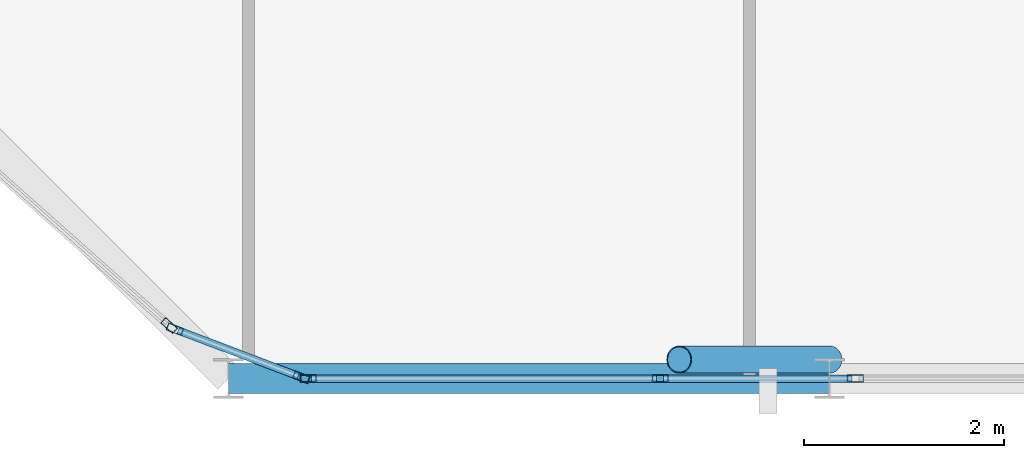
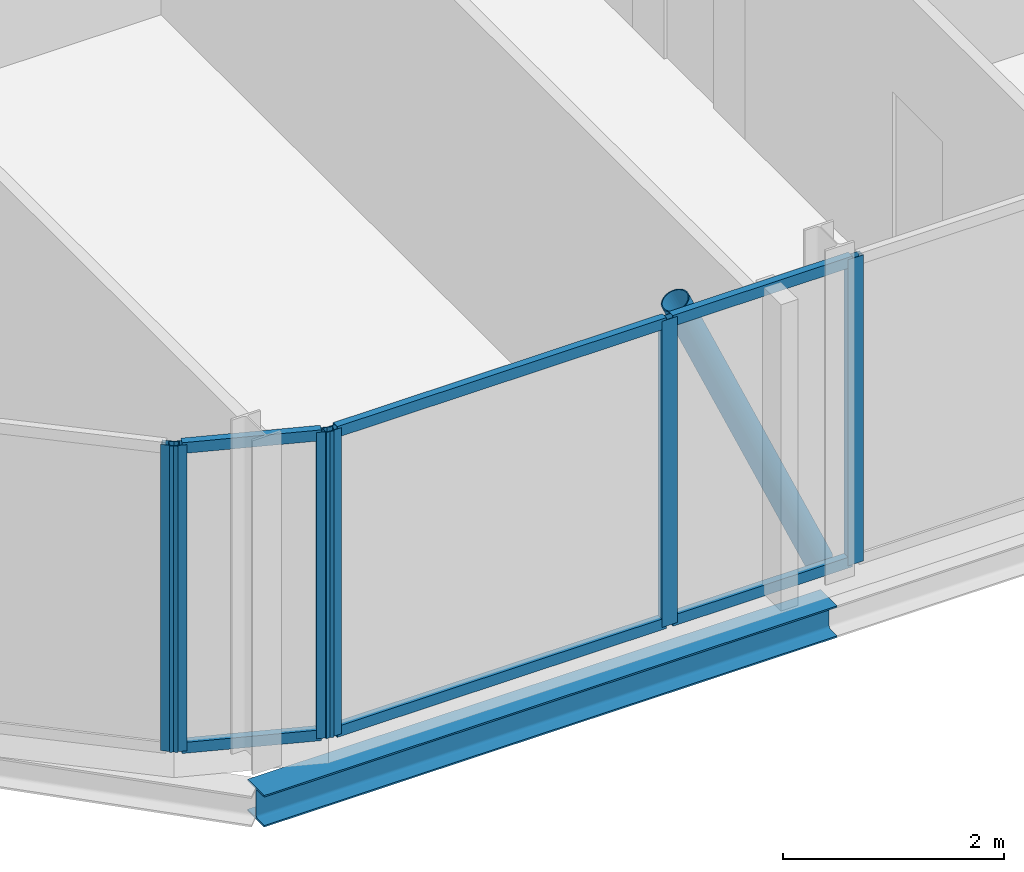
# One storey, part 6 of 28: 13 members, 1 beam, 5 elements without a shape of their own.
"""IFC4 building model written with IfcOpenShell, lengths in metres."""

from ifc_helpers import new_model, si_unit, direction, frame, origin, origin_2d, place, context, subcontext, project, spatial, hollow_rectangle, hollow_circle, i_section, extrude, material, layer, layer_set, material_profile, profile_set, type_object, element, aggregate, save


model = new_model("IFC4")

# Units and contexts
model_context = context("Model", 3, precision=1e-05, world=origin(), true_north=direction((0.0, 1.0)))
body_context = subcontext(model_context, "Body", "Model", "MODEL_VIEW")
ifc_project = project(units=[si_unit("LENGTHUNIT", "METRE"), si_unit("AREAUNIT", "SQUARE_METRE"), si_unit("VOLUMEUNIT", "CUBIC_METRE"), si_unit("PLANEANGLEUNIT", "RADIAN"), si_unit("MASSUNIT", "GRAM", prefix="KILO")], contexts=[model_context])

# Site, building, storey
site_placement = place(None, origin())
site = spatial("IfcSite", under=ifc_project, at=site_placement, CompositionType="ELEMENT")
building_placement = place(site_placement, origin())
building = spatial("IfcBuilding", under=site, at=building_placement, Name="Keshet Zoharim Tower", CompositionType="ELEMENT")
storey_placement = place(building_placement, frame((0.0, 0.0, 265.800048828125)))
storey = spatial("IfcBuildingStorey", under=building, at=storey_placement, Name="L66", CompositionType="ELEMENT", Elevation=265.800048828125)

# Beam
ifc_material_1 = material(Name="Steel S355", Category="steel")
ifc_material_profile_1 = material_profile(ifc_material_1, i_section(OverallWidth=0.300048828125, OverallDepth=0.35009765625, WebThickness=0.010009765625, FlangeThickness=0.017578125, FilletRadius=0.027099609375, at=origin_2d()), Name="HEA360")
ifc_profile_set_1 = profile_set([ifc_material_profile_1], Name="Steel S355")
beam_type = type_object("IfcBeamType", Name="BM-PRI-HA360", PredefinedType="BEAM", material=ifc_profile_set_1)
beam_placement = place(storey_placement, frame((21.0, 6.699951171875, -0.485107421875), z_axis=(1.0, 0.0, 0.0), x_axis=(0.0, 1.0, 0.0)))
element("IfcBeam", 1, at=beam_placement, inside=storey, type_object=beam_type, Name="L66 Primary Girder X-001", PredefinedType="BEAM", context=body_context, shape_type="SweptSolid", body=[
    extrude(i_section(OverallWidth=0.300048828125, OverallDepth=0.35009765625, WebThickness=0.010009765625, FlangeThickness=0.017578125, FilletRadius=0.027099609375, at=origin_2d()), origin(), (0.0, 0.0, 1.0), 6.0),
])

# Curtain wall, member
ifc_material_2 = material(Name="Aluminium 6063-T6", Category="aluminium")
ifc_layer = layer(ifc_material_2, 0.260009765625)
ifc_layer_set = layer_set([ifc_layer], Name="Aluminium 6063-T6")
curtain_wall_type = type_object("IfcCurtainWallType", Name="CW-SYS-06", PredefinedType="NOTDEFINED", material=ifc_layer_set)
curtain_wall_1_placement = place(storey_placement, origin())
curtain_wall_1 = element("IfcCurtainWall", 2, at=curtain_wall_1_placement, inside=storey, type_object=curtain_wall_type, Name="L66 Unitised Curtain Wall 14", PredefinedType="NOTDEFINED")
ifc_material_profile_2 = material_profile(ifc_material_2, hollow_rectangle(XDim=0.074951171875, YDim=0.159912109375, WallThickness=0.00390625, at=origin_2d()), Name="MUL-75x160")
ifc_profile_set_2 = profile_set([ifc_material_profile_2], Name="Aluminium 6063-T6")
member_type_1 = type_object("IfcMemberType", Name="CWM-M15", PredefinedType="MULLION", material=ifc_profile_set_2)
member_1_placement = place(storey_placement, frame((27.259765625, 6.699951171875, 0.0), z_axis=(0.0, 0.0, 1.0), x_axis=(0.0, -1.0, 0.0)))
member_1 = element("IfcMember", 3, at=member_1_placement, type_object=member_type_1, Name="CW-06 mullion 2", PredefinedType="MULLION", context=body_context, shape_type="SweptSolid", body=[
    extrude(hollow_rectangle(XDim=0.074951171875, YDim=0.159912109375, WallThickness=0.00390625, at=origin_2d()), origin(), (0.0, 0.0, 1.0), 3.389892578125),
])
aggregate(curtain_wall_1, [member_1])

curtain_wall_2_placement = place(storey_placement, origin())
curtain_wall_2 = element("IfcCurtainWall", 4, at=curtain_wall_2_placement, inside=storey, type_object=curtain_wall_type, Name="L66 Unitised Curtain Wall 14 Part 2", PredefinedType="NOTDEFINED")
member_2_placement = place(storey_placement, frame((25.310302734375, 6.699951171875, 0.0), z_axis=(0.0, 0.0, 1.0), x_axis=(0.0, -1.0, 0.0)))
member_2 = element("IfcMember", 5, at=member_2_placement, type_object=member_type_1, Name="CW-06 mullion 2", PredefinedType="MULLION", context=body_context, shape_type="SweptSolid", body=[
    extrude(hollow_rectangle(XDim=0.074951171875, YDim=0.159912109375, WallThickness=0.00390625, at=origin_2d()), origin(), (0.0, 0.0, 1.0), 3.389892578125),
])

curtain_wall_3_placement = place(storey_placement, origin())
curtain_wall_3 = element("IfcCurtainWall", 6, at=curtain_wall_3_placement, inside=storey, type_object=curtain_wall_type, Name="L66 Unitised Curtain Wall 14 Part 3", PredefinedType="NOTDEFINED")
member_3_placement = place(storey_placement, frame((21.794921875, 6.699951171875, 0.0), z_axis=(0.0, 0.0, 1.0), x_axis=(0.0, -1.0, 0.0)))
member_3 = element("IfcMember", 7, at=member_3_placement, type_object=member_type_1, Name="CW-06 mullion 2", PredefinedType="MULLION", context=body_context, shape_type="SweptSolid", body=[
    extrude(hollow_rectangle(XDim=0.074951171875, YDim=0.159912109375, WallThickness=0.00390625, at=origin_2d()), origin(), (0.0, 0.0, 1.0), 3.389892578125),
])

# Curtain wall, members
curtain_wall_4_placement = place(storey_placement, origin())
curtain_wall_4 = element("IfcCurtainWall", 8, at=curtain_wall_4_placement, inside=storey, type_object=curtain_wall_type, Name="L66 Unitised Curtain Wall 15", PredefinedType="NOTDEFINED")
member_4_placement = place(storey_placement, frame((21.727294921875, 6.71240234375, 0.0), z_axis=(0.0, 0.0, 1.0), x_axis=(-0.355439161326, -0.934699418314, 0.0)))
member_4 = element("IfcMember", 9, at=member_4_placement, type_object=member_type_1, Name="CW-06 mullion 1", PredefinedType="MULLION", context=body_context, shape_type="SweptSolid", body=[
    extrude(hollow_rectangle(XDim=0.074951171875, YDim=0.159912109375, WallThickness=0.00390625, at=origin_2d()), origin(), (0.0, 0.0, 1.0), 3.389892578125),
])
member_5_placement = place(storey_placement, frame((20.464599609375, 7.192626953125, 0.0), z_axis=(0.0, 0.0, 1.0), x_axis=(-0.355439161326, -0.934699418314, 0.0)))
member_5 = element("IfcMember", 10, at=member_5_placement, type_object=member_type_1, Name="CW-06 mullion 2", PredefinedType="MULLION", context=body_context, shape_type="SweptSolid", body=[
    extrude(hollow_rectangle(XDim=0.074951171875, YDim=0.159912109375, WallThickness=0.00390625, at=origin_2d()), origin(), (0.0, 0.0, 1.0), 3.389892578125),
])

# Curtain wall, member
curtain_wall_5_placement = place(storey_placement, origin())
curtain_wall_5 = element("IfcCurtainWall", 11, at=curtain_wall_5_placement, inside=storey, type_object=curtain_wall_type, Name="L66 Unitised Curtain Wall 16", PredefinedType="NOTDEFINED")
member_6_placement = place(storey_placement, frame((20.40576171875, 7.228271484375, 0.0), z_axis=(0.0, 0.0, 1.0), x_axis=(-0.664362180559, -0.747410792699, 0.0)))
member_6 = element("IfcMember", 12, at=member_6_placement, type_object=member_type_1, Name="CW-06 mullion 1", PredefinedType="MULLION", context=body_context, shape_type="SweptSolid", body=[
    extrude(hollow_rectangle(XDim=0.074951171875, YDim=0.159912109375, WallThickness=0.00390625, at=origin_2d()), origin(), (0.0, 0.0, 1.0), 3.389892578125),
])
aggregate(curtain_wall_5, [member_6])

# Member
ifc_material_profile_3 = material_profile(ifc_material_2, hollow_rectangle(XDim=0.074951171875, YDim=0.1201171875, WallThickness=0.00390625, at=origin_2d()), Name="TRN-75x120")
ifc_profile_set_3 = profile_set([ifc_material_profile_3], Name="Aluminium 6063-T6")
member_type_2 = type_object("IfcMemberType", Name="CWT-T12", PredefinedType="USERDEFINED", material=ifc_profile_set_3)
member_7_placement = place(storey_placement, frame((27.224853515625, 6.699951171875, 0.034912109375), z_axis=(-1.0, 0.0, 0.0), x_axis=(0.0, -1.0, 0.0)))
member_7 = element("IfcMember", 13, at=member_7_placement, type_object=member_type_2, Name="CW-06 transom 1.1", ObjectType="TRANSOM", PredefinedType="USERDEFINED", context=body_context, shape_type="SweptSolid", body=[
    extrude(hollow_rectangle(XDim=0.074951171875, YDim=0.1201171875, WallThickness=0.00390625, at=origin_2d()), origin(), (0.0, 0.0, 1.0), 1.879638671875),
])

member_8_placement = place(storey_placement, frame((27.224853515625, 6.699951171875, 3.35498046875), z_axis=(-1.0, 0.0, 0.0), x_axis=(0.0, -1.0, 0.0)))
member_8 = element("IfcMember", 14, at=member_8_placement, type_object=member_type_2, Name="CW-06 transom 1.2", ObjectType="TRANSOM", PredefinedType="USERDEFINED", context=body_context, shape_type="SweptSolid", body=[
    extrude(hollow_rectangle(XDim=0.074951171875, YDim=0.1201171875, WallThickness=0.00390625, at=origin_2d()), origin(), (0.0, 0.0, 1.0), 1.879638671875),
])

aggregate(curtain_wall_2, [member_2, member_7, member_8])

member_9_placement = place(storey_placement, frame((25.275146484375, 6.699951171875, 0.034912109375), z_axis=(-1.0, 0.0, 0.0), x_axis=(0.0, -1.0, 0.0)))
member_9 = element("IfcMember", 15, at=member_9_placement, type_object=member_type_2, Name="CW-06 transom 1.1", ObjectType="TRANSOM", PredefinedType="USERDEFINED", context=body_context, shape_type="SweptSolid", body=[
    extrude(hollow_rectangle(XDim=0.074951171875, YDim=0.1201171875, WallThickness=0.00390625, at=origin_2d()), origin(), (0.0, 0.0, 1.0), 3.445068359375),
])

member_10_placement = place(storey_placement, frame((25.275146484375, 6.699951171875, 3.35498046875), z_axis=(-1.0, 0.0, 0.0), x_axis=(0.0, -1.0, 0.0)))
member_10 = element("IfcMember", 16, at=member_10_placement, type_object=member_type_2, Name="CW-06 transom 1.2", ObjectType="TRANSOM", PredefinedType="USERDEFINED", context=body_context, shape_type="SweptSolid", body=[
    extrude(hollow_rectangle(XDim=0.074951171875, YDim=0.1201171875, WallThickness=0.00390625, at=origin_2d()), origin(), (0.0, 0.0, 1.0), 3.445068359375),
])

aggregate(curtain_wall_3, [member_3, member_9, member_10])

member_11_placement = place(storey_placement, frame((21.694580078125, 6.724853515625, 0.034912109375), z_axis=(-0.934689881536, 0.355464239206, 0.0), x_axis=(-0.355464239206, -0.934689881536, 0.0)))
member_11 = element("IfcMember", 17, at=member_11_placement, type_object=member_type_2, Name="CW-06 transom 1.1", ObjectType="TRANSOM", PredefinedType="USERDEFINED", context=body_context, shape_type="SweptSolid", body=[
    extrude(hollow_rectangle(XDim=0.074951171875, YDim=0.1201171875, WallThickness=0.00390625, at=origin_2d()), origin(), (0.0, 0.0, 1.0), 1.281005859375),
])

member_12_placement = place(storey_placement, frame((21.694580078125, 6.724853515625, 3.35498046875), z_axis=(-0.934689881536, 0.355464239206, 0.0), x_axis=(-0.355464239206, -0.934689881536, 0.0)))
member_12 = element("IfcMember", 18, at=member_12_placement, type_object=member_type_2, Name="CW-06 transom 1.2", ObjectType="TRANSOM", PredefinedType="USERDEFINED", context=body_context, shape_type="SweptSolid", body=[
    extrude(hollow_rectangle(XDim=0.074951171875, YDim=0.1201171875, WallThickness=0.00390625, at=origin_2d()), origin(), (0.0, 0.0, 1.0), 1.281005859375),
])

aggregate(curtain_wall_4, [member_4, member_5, member_11, member_12])

ifc_material_profile_4 = material_profile(ifc_material_1, hollow_circle(Radius=0.136474609375, WallThickness=0.010009765625, at=origin_2d()), Name="CHS273x10")
ifc_profile_set_4 = profile_set([ifc_material_profile_4], Name="Steel S355")
member_type_3 = type_object("IfcMemberType", Name="MB-BR-C273", PredefinedType="BRACE", material=ifc_profile_set_4)
member_13_placement = place(storey_placement, frame((27.0, 6.889892578125, 0.0), z_axis=(-0.40464689807, 0.0, 0.914473011019), x_axis=(0.0, -1.0, 0.0)))
element("IfcMember", 19, at=member_13_placement, inside=storey, type_object=member_type_3, Name="L66 Perimeter Tube Brace 02", PredefinedType="BRACE", context=body_context, shape_type="SweptSolid", body=[
    extrude(hollow_circle(Radius=0.136474609375, WallThickness=0.010009765625, at=origin_2d()), origin(), (0.0, 0.0, 1.0), 3.70703125),
])

save(model, "model.ifc")
